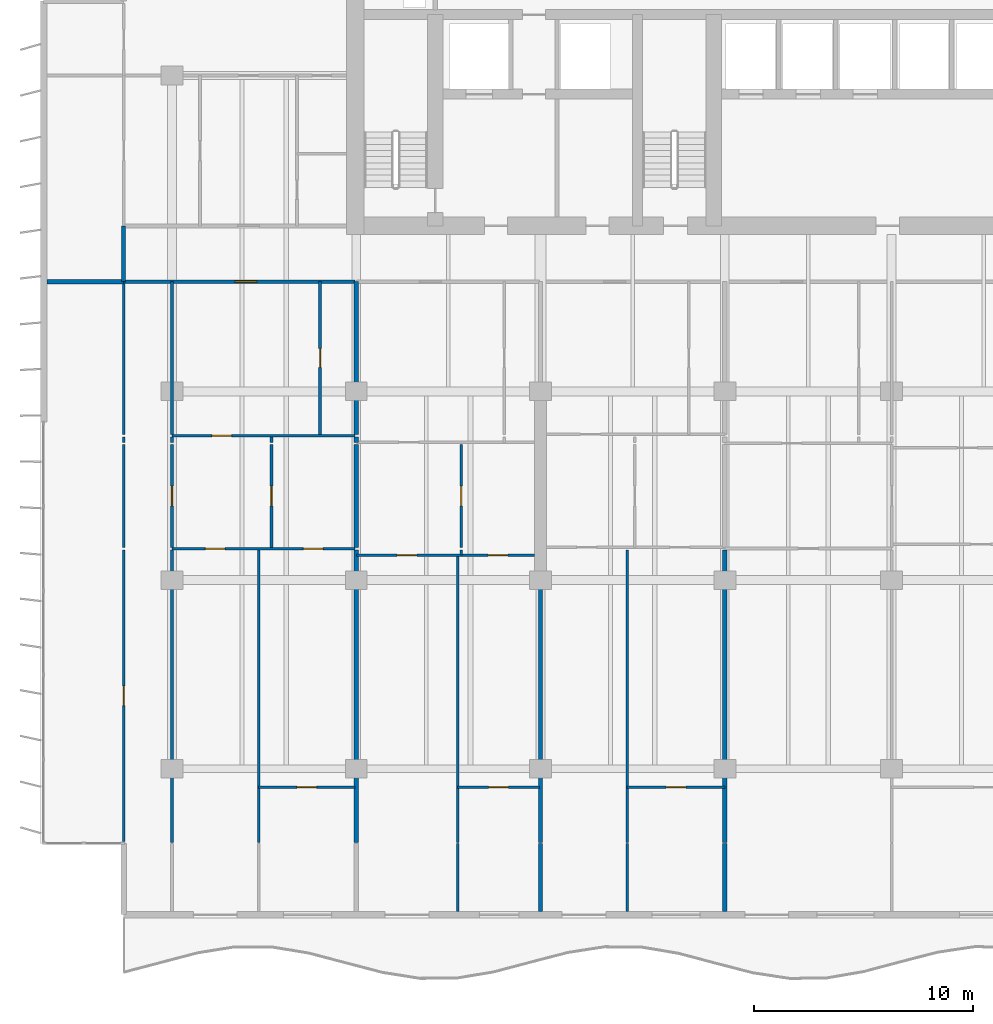
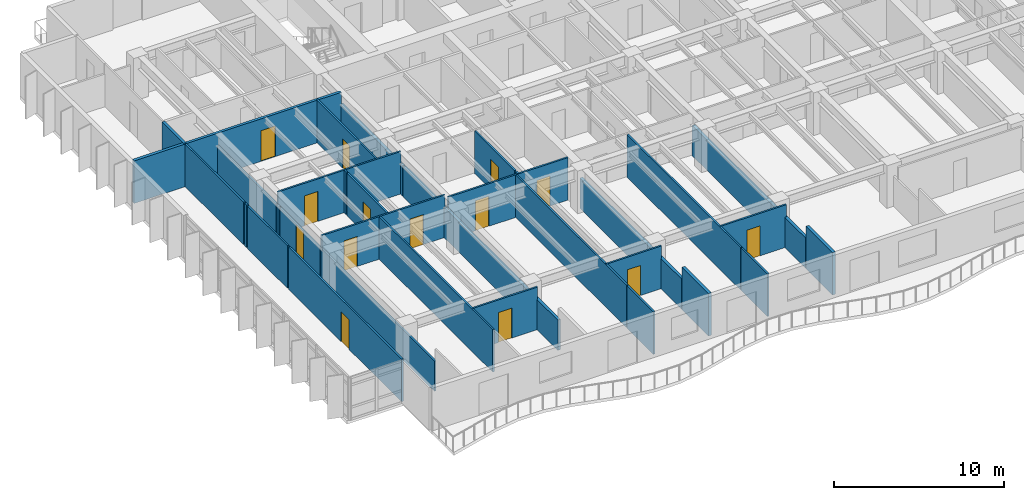
# One storey, part 6 of 17: 35 walls, 14 doors, 14 openings.
"""IFC4 building model written with IfcOpenShell, lengths in metres."""

from ifc_helpers import new_model, si_unit, direction, frame, frame_2d, origin, place, context, subcontext, project, spatial, rectangle, extrude, material, layer, layer_set, type_object, element, fill, save


model = new_model("IFC4")

# Units and contexts
model_context = context("Model", 3, precision=1e-05, world=origin(), true_north=direction((0.0, 1.0)))
body_context = subcontext(model_context, "Body", "Model", "MODEL_VIEW")
ifc_project = project(units=[si_unit("LENGTHUNIT", "METRE"), si_unit("AREAUNIT", "SQUARE_METRE"), si_unit("VOLUMEUNIT", "CUBIC_METRE"), si_unit("PLANEANGLEUNIT", "RADIAN"), si_unit("MASSUNIT", "GRAM", prefix="KILO")], contexts=[model_context])

# Site, building, storey
site_placement = place(None, origin())
site = spatial("IfcSite", under=ifc_project, at=site_placement, CompositionType="ELEMENT")
building_placement = place(site_placement, origin())
building = spatial("IfcBuilding", under=site, at=building_placement, Name="Caelmar Bay Residences", CompositionType="ELEMENT")
storey_placement = place(building_placement, frame((0.0, 0.0, 87.89990234375)))
storey = spatial("IfcBuildingStorey", under=building, at=storey_placement, Name="L23", CompositionType="ELEMENT", Elevation=87.89990234375)

# Wall
ifc_material_1 = material(Name="Double-stud acoustic fire-rated gypsum partition 180 mm")
ifc_layer_1 = layer(ifc_material_1, 0.179931640625)
ifc_layer_set_1 = layer_set([ifc_layer_1], Name="Double-stud acoustic fire-rated gypsum partition 180 mm")
wall_type_1 = type_object("IfcWallType", Name="W-COR-200", PredefinedType="PARTITIONING", material=ifc_layer_set_1)
wall_1_placement = place(storey_placement, frame((7.699951171875, 34.405029296875, 0.0), z_axis=(0.0, 0.0, 1.0), x_axis=(0.0, 1.0, 0.0)))
element("IfcWall", 1, at=wall_1_placement, inside=storey, type_object=wall_type_1, Name="L23 Partition Wall V005", PredefinedType="PARTITIONING", context=body_context, shape_type="SweptSolid", body=[
    extrude(rectangle(XDim=2.544921875, YDim=0.179931640625, at=frame_2d((1.2724609375, 0.0))), origin(), (0.0, 0.0, 1.0), 3.050048828125),
])

# Wall, opening, door
wall_2_placement = place(storey_placement, frame((7.705078125, 34.39990234375, 0.0), z_axis=(0.0, 0.0, 1.0), x_axis=(1.0, 0.0, 0.0)))
wall_2 = element("IfcWall", 2, at=wall_2_placement, inside=storey, type_object=wall_type_1, Name="L23 Partition Wall H130", PredefinedType="PARTITIONING", context=body_context, shape_type="SweptSolid", body=[
    extrude(rectangle(XDim=10.544921875, YDim=0.179931640625, at=frame_2d((5.2724609375, 0.0))), origin(), (0.0, 0.0, 1.0), 3.050048828125),
])
opening_1_placement = place(wall_2_placement, frame((5.070068359375, 0.0, 0.0)))
opening_1 = element("IfcOpeningElement", 3, at=opening_1_placement, cuts=wall_2, Name="Opening D-L23-123", PredefinedType="OPENING", context=body_context, shape_type="SweptSolid", body=[
    extrude(rectangle(XDim=1.0, YDim=2.199951171875, at=frame_2d((0.5, 1.10009765625))), frame((0.0, 0.099853515625, 0.0), z_axis=(0.0, -1.0, 0.0), x_axis=(1.0, 0.0, 0.0)), (0.0, 0.0, 1.0), 0.199951171875),
])
ifc_material_2 = material(Name="Fire-rated steel and walnut architectural door assembly", Category="steel")
ifc_layer_2 = layer(ifc_material_2, 0.050048828125)
ifc_layer_set_2 = layer_set([ifc_layer_2], Name="Fire-rated steel and walnut architectural door assembly")
door_type_1 = type_object("IfcDoorType", Name="D-UNIT-1000", OperationType="NOTDEFINED", PredefinedType="DOOR", material=ifc_layer_set_2)
door_1_placement = place(opening_1_placement, origin())
door_1 = element("IfcDoor", 4, at=door_1_placement, inside=storey, type_object=door_type_1, Name="L23 Residence 01 Apartment Hall Door", OperationType="SINGLE_SWING_LEFT", OverallHeight=2.199951171875, OverallWidth=1.0, PredefinedType="DOOR", context=body_context, shape_type="SweptSolid", body=[
    extrude(rectangle(XDim=1.0, YDim=2.199951171875, at=frame_2d((0.5, 1.10009765625))), frame((0.0, 0.02490234375, 0.0), z_axis=(0.0, -1.0, 0.0), x_axis=(1.0, 0.0, 0.0)), (0.0, 0.0, 1.0), 0.050048828125),
])
fill(opening_1, door_1)

ifc_material_3 = material(Name="Acoustic metal-stud gypsum partition 120 mm")
ifc_layer_3 = layer(ifc_material_3, 0.1201171875)
ifc_layer_set_3 = layer_set([ifc_layer_3], Name="Acoustic metal-stud gypsum partition 120 mm")
wall_type_2 = type_object("IfcWallType", Name="W-PRT-120", PredefinedType="PARTITIONING", material=ifc_layer_set_3)
wall_3_placement = place(storey_placement, frame((7.699951171875, 8.885009765625, 0.0), z_axis=(0.0, 0.0, 1.0), x_axis=(0.0, 1.0, 0.0)))
wall_3 = element("IfcWall", 5, at=wall_3_placement, inside=storey, type_object=wall_type_2, Name="L23 Partition Wall V001", PredefinedType="PARTITIONING", context=body_context, shape_type="SweptSolid", body=[
    extrude(rectangle(XDim=13.284912109375, YDim=0.1201171875, at=frame_2d((6.642578125, 0.0))), origin(), (0.0, 0.0, 1.0), 3.050048828125),
])
opening_2_placement = place(wall_3_placement, frame((6.1923828125, 0.0, 0.0)))
opening_2 = element("IfcOpeningElement", 6, at=opening_2_placement, cuts=wall_3, Name="Opening D-L23-169", PredefinedType="OPENING", context=body_context, shape_type="SweptSolid", body=[
    extrude(rectangle(XDim=0.89990234375, YDim=2.14990234375, at=frame_2d((0.449951171875, 1.074951171875))), frame((0.0, 0.070068359375, 0.0), z_axis=(0.0, -1.0, 0.0), x_axis=(1.0, 0.0, 0.0)), (0.0, 0.0, 1.0), 0.14013671875),
])
ifc_material_4 = material(Name="Solid walnut timber interior door leaf and frame", Category="wood")
ifc_layer_4 = layer(ifc_material_4, 0.050048828125)
ifc_layer_set_4 = layer_set([ifc_layer_4], Name="Solid walnut timber interior door leaf and frame")
door_type_2 = type_object("IfcDoorType", Name="D-ROOM-900", OperationType="NOTDEFINED", PredefinedType="DOOR", material=ifc_layer_set_4)
door_2_placement = place(opening_2_placement, origin())
door_2 = element("IfcDoor", 7, at=door_2_placement, inside=storey, type_object=door_type_2, Name="L23 Residence 01 Penthouse West Salon Door", OperationType="SINGLE_SWING_LEFT", OverallHeight=2.14990234375, OverallWidth=0.89990234375, PredefinedType="DOOR", context=body_context, shape_type="SweptSolid", body=[
    extrude(rectangle(XDim=0.89990234375, YDim=2.14990234375, at=frame_2d((0.449951171875, 1.074951171875))), frame((0.0, 0.02490234375, 0.0), z_axis=(0.0, -1.0, 0.0), x_axis=(1.0, 0.0, 0.0)), (0.0, 0.0, 1.0), 0.050048828125),
])
fill(opening_2, door_2)

# Walls
wall_4_placement = place(storey_placement, frame((7.699951171875, 22.2900390625, 0.0), z_axis=(0.0, 0.0, 1.0), x_axis=(0.0, 1.0, 0.0)))
element("IfcWall", 8, at=wall_4_placement, inside=storey, type_object=wall_type_2, Name="L23 Partition Wall V002", PredefinedType="PARTITIONING", context=body_context, shape_type="SweptSolid", body=[
    extrude(rectangle(XDim=4.68994140625, YDim=0.1201171875, at=frame_2d((2.344970703125, 0.0))), origin(), (0.0, 0.0, 1.0), 3.050048828125),
])
wall_5_placement = place(storey_placement, frame((7.699951171875, 27.080078125, 0.0), z_axis=(0.0, 0.0, 1.0), x_axis=(0.0, 1.0, 0.0)))
element("IfcWall", 9, at=wall_5_placement, inside=storey, type_object=wall_type_2, Name="L23 Partition Wall V003", PredefinedType="PARTITIONING", context=body_context, shape_type="SweptSolid", body=[
    extrude(rectangle(XDim=0.239990234375, YDim=0.1201171875, at=frame_2d((0.1201171875, 0.0))), origin(), (0.0, 0.0, 1.0), 3.050048828125),
])
wall_6_placement = place(storey_placement, frame((7.699951171875, 27.43994140625, 0.0), z_axis=(0.0, 0.0, 1.0), x_axis=(0.0, 1.0, 0.0)))
element("IfcWall", 10, at=wall_6_placement, inside=storey, type_object=wall_type_2, Name="L23 Partition Wall V004", PredefinedType="PARTITIONING", context=body_context, shape_type="SweptSolid", body=[
    extrude(rectangle(XDim=6.9599609375, YDim=0.1201171875, at=frame_2d((3.47998046875, 0.0))), origin(), (0.0, 0.0, 1.0), 3.050048828125),
])
wall_7_placement = place(storey_placement, frame((9.89990234375, 8.840087890625, 0.0), z_axis=(0.0, 0.0, 1.0), x_axis=(0.0, 1.0, 0.0)))
element("IfcWall", 11, at=wall_7_placement, inside=storey, type_object=wall_type_2, Name="L23 Partition Wall V009", PredefinedType="PARTITIONING", context=body_context, shape_type="SweptSolid", body=[
    extrude(rectangle(XDim=13.329833984375, YDim=0.1201171875, at=frame_2d((6.6650390625, 0.0))), origin(), (0.0, 0.0, 1.0), 2.174072265625),
])

# Wall, opening, door
wall_8_placement = place(storey_placement, frame((9.89990234375, 22.2900390625, 0.0), z_axis=(0.0, 0.0, 1.0), x_axis=(0.0, 1.0, 0.0)))
wall_8 = element("IfcWall", 12, at=wall_8_placement, inside=storey, type_object=wall_type_2, Name="L23 Partition Wall V010", PredefinedType="PARTITIONING", context=body_context, shape_type="SweptSolid", body=[
    extrude(rectangle(XDim=4.68994140625, YDim=0.1201171875, at=frame_2d((2.344970703125, 0.0))), origin(), (0.0, 0.0, 1.0), 2.174072265625),
])
opening_3_placement = place(wall_8_placement, frame((1.89501953125, 0.0, 0.0)))
opening_3 = element("IfcOpeningElement", 13, at=opening_3_placement, cuts=wall_8, Name="Opening D-L23-130", PredefinedType="OPENING", context=body_context, shape_type="SweptSolid", body=[
    extrude(rectangle(XDim=0.89990234375, YDim=2.1240234375, at=frame_2d((0.449951171875, 1.06201171875))), frame((0.0, 0.070068359375, 0.0), z_axis=(0.0, -1.0, 0.0), x_axis=(1.0, 0.0, 0.0)), (0.0, 0.0, 1.0), 0.14013671875),
])
door_3_placement = place(opening_3_placement, origin())
door_3 = element("IfcDoor", 14, at=door_3_placement, inside=storey, type_object=door_type_2, Name="L23 Residence 01 West Apartment Hall Door", OperationType="SINGLE_SWING_RIGHT", OverallHeight=2.1240234375, OverallWidth=0.89990234375, PredefinedType="DOOR", context=body_context, shape_type="SweptSolid", body=[
    extrude(rectangle(XDim=0.89990234375, YDim=2.1240234375, at=frame_2d((0.449951171875, 1.06201171875))), frame((0.0, 0.02490234375, 0.0), z_axis=(0.0, -1.0, 0.0), x_axis=(1.0, 0.0, 0.0)), (0.0, 0.0, 1.0), 0.050048828125),
])
fill(opening_3, door_3)

# Walls
wall_9_placement = place(storey_placement, frame((9.89990234375, 27.080078125, 0.0), z_axis=(0.0, 0.0, 1.0), x_axis=(0.0, 1.0, 0.0)))
element("IfcWall", 15, at=wall_9_placement, inside=storey, type_object=wall_type_2, Name="L23 Partition Wall V011", PredefinedType="PARTITIONING", context=body_context, shape_type="SweptSolid", body=[
    extrude(rectangle(XDim=0.239990234375, YDim=0.1201171875, at=frame_2d((0.1201171875, 0.0))), origin(), (0.0, 0.0, 1.0), 2.174072265625),
])
wall_10_placement = place(storey_placement, frame((9.89990234375, 27.43994140625, 0.0), z_axis=(0.0, 0.0, 1.0), x_axis=(0.0, 1.0, 0.0)))
element("IfcWall", 16, at=wall_10_placement, inside=storey, type_object=wall_type_2, Name="L23 Partition Wall V012", PredefinedType="PARTITIONING", context=body_context, shape_type="SweptSolid", body=[
    extrude(rectangle(XDim=6.9599609375, YDim=0.1201171875, at=frame_2d((3.47998046875, 0.0))), origin(), (0.0, 0.0, 1.0), 2.174072265625),
])
wall_11_placement = place(storey_placement, frame((13.847900390625, 8.840087890625, 0.0), z_axis=(0.0, 0.0, 1.0), x_axis=(0.0, 1.0, 0.0)))
element("IfcWall", 17, at=wall_11_placement, inside=storey, type_object=wall_type_2, Name="L23 Partition Wall V015", PredefinedType="PARTITIONING", context=body_context, shape_type="SweptSolid", body=[
    extrude(rectangle(XDim=13.329833984375, YDim=0.1201171875, at=frame_2d((6.6650390625, 0.0))), origin(), (0.0, 0.0, 1.0), 3.050048828125),
])

# Wall, opening, door
wall_12_placement = place(storey_placement, frame((14.43603515625, 22.2900390625, 0.0), z_axis=(0.0, 0.0, 1.0), x_axis=(0.0, 1.0, 0.0)))
wall_12 = element("IfcWall", 18, at=wall_12_placement, inside=storey, type_object=wall_type_2, Name="L23 Partition Wall V016", PredefinedType="PARTITIONING", context=body_context, shape_type="SweptSolid", body=[
    extrude(rectangle(XDim=4.68994140625, YDim=0.1201171875, at=frame_2d((2.344970703125, 0.0))), origin(), (0.0, 0.0, 1.0), 3.050048828125),
])
opening_4_placement = place(wall_12_placement, frame((1.89501953125, 0.0, 0.0)))
opening_4 = element("IfcOpeningElement", 19, at=opening_4_placement, cuts=wall_12, Name="Opening D-L23-126", PredefinedType="OPENING", context=body_context, shape_type="SweptSolid", body=[
    extrude(rectangle(XDim=0.89990234375, YDim=2.14990234375, at=frame_2d((0.449951171875, 1.074951171875))), frame((0.0, 0.070068359375, 0.0), z_axis=(0.0, -1.0, 0.0), x_axis=(1.0, 0.0, 0.0)), (0.0, 0.0, 1.0), 0.14013671875),
])
door_4_placement = place(opening_4_placement, origin())
door_4 = element("IfcDoor", 20, at=door_4_placement, inside=storey, type_object=door_type_2, Name="L23 Residence 01 Study Door", OperationType="SINGLE_SWING_RIGHT", OverallHeight=2.14990234375, OverallWidth=0.89990234375, PredefinedType="DOOR", context=body_context, shape_type="SweptSolid", body=[
    extrude(rectangle(XDim=0.89990234375, YDim=2.14990234375, at=frame_2d((0.449951171875, 1.074951171875))), frame((0.0, 0.02490234375, 0.0), z_axis=(0.0, -1.0, 0.0), x_axis=(1.0, 0.0, 0.0)), (0.0, 0.0, 1.0), 0.050048828125),
])
fill(opening_4, door_4)

# Wall
wall_13_placement = place(storey_placement, frame((14.43603515625, 27.080078125, 0.0), z_axis=(0.0, 0.0, 1.0), x_axis=(0.0, 1.0, 0.0)))
element("IfcWall", 21, at=wall_13_placement, inside=storey, type_object=wall_type_2, Name="L23 Partition Wall V017", PredefinedType="PARTITIONING", context=body_context, shape_type="SweptSolid", body=[
    extrude(rectangle(XDim=0.239990234375, YDim=0.1201171875, at=frame_2d((0.1201171875, 0.0))), origin(), (0.0, 0.0, 1.0), 3.050048828125),
])

# Wall, opening, door
wall_14_placement = place(storey_placement, frame((16.64990234375, 27.43994140625, 0.0), z_axis=(0.0, 0.0, 1.0), x_axis=(0.0, 1.0, 0.0)))
wall_14 = element("IfcWall", 22, at=wall_14_placement, inside=storey, type_object=wall_type_2, Name="L23 Partition Wall V019", PredefinedType="PARTITIONING", context=body_context, shape_type="SweptSolid", body=[
    extrude(rectangle(XDim=6.9599609375, YDim=0.1201171875, at=frame_2d((3.47998046875, 0.0))), origin(), (0.0, 0.0, 1.0), 3.050048828125),
])
opening_5_placement = place(wall_14_placement, frame((3.054931640625, 0.0, 0.0)))
opening_5 = element("IfcOpeningElement", 23, at=opening_5_placement, cuts=wall_14, Name="Opening D-L23-124", PredefinedType="OPENING", context=body_context, shape_type="SweptSolid", body=[
    extrude(rectangle(XDim=0.85009765625, YDim=2.10009765625, at=frame_2d((0.425048828125, 1.050048828125))), frame((0.0, 0.070068359375, 0.0), z_axis=(0.0, -1.0, 0.0), x_axis=(1.0, 0.0, 0.0)), (0.0, 0.0, 1.0), 0.14013671875),
])
ifc_layer_5 = layer(ifc_material_4, 0.050048828125)
ifc_layer_set_5 = layer_set([ifc_layer_5], Name="Solid walnut timber interior door leaf and frame")
door_type_3 = type_object("IfcDoorType", Name="D-BATH-850", OperationType="NOTDEFINED", PredefinedType="DOOR", material=ifc_layer_set_5)
door_5_placement = place(opening_5_placement, origin())
door_5 = element("IfcDoor", 24, at=door_5_placement, inside=storey, type_object=door_type_3, Name="L23 Residence 01 Bathroom Door", OperationType="SINGLE_SWING_RIGHT", OverallHeight=2.10009765625, OverallWidth=0.85009765625, PredefinedType="DOOR", context=body_context, shape_type="SweptSolid", body=[
    extrude(rectangle(XDim=0.85009765625, YDim=2.10009765625, at=frame_2d((0.425048828125, 1.050048828125))), frame((0.0, 0.02490234375, 0.0), z_axis=(0.0, -1.0, 0.0), x_axis=(1.0, 0.0, 0.0)), (0.0, 0.0, 1.0), 0.050048828125),
])
fill(opening_5, door_5)

# Walls
wall_15_placement = place(storey_placement, frame((22.919921875, 5.695068359375, 0.0), z_axis=(0.0, 0.0, 1.0), x_axis=(0.0, 1.0, 0.0)))
element("IfcWall", 25, at=wall_15_placement, inside=storey, type_object=wall_type_2, Name="L23 Partition Wall V026", PredefinedType="PARTITIONING", context=body_context, shape_type="SweptSolid", body=[
    extrude(rectangle(XDim=3.10498046875, YDim=0.1201171875, at=frame_2d((1.552490234375, 0.0))), origin(), (0.0, 0.0, 1.0), 3.050048828125),
])
wall_16_placement = place(storey_placement, frame((22.919921875, 8.840087890625, 0.0), z_axis=(0.0, 0.0, 1.0), x_axis=(0.0, 1.0, 0.0)))
element("IfcWall", 26, at=wall_16_placement, inside=storey, type_object=wall_type_2, Name="L23 Partition Wall V027", PredefinedType="PARTITIONING", context=body_context, shape_type="SweptSolid", body=[
    extrude(rectangle(XDim=13.08984375, YDim=0.1201171875, at=frame_2d((6.544921875, 0.0))), origin(), (0.0, 0.0, 1.0), 3.050048828125),
])
wall_17_placement = place(storey_placement, frame((23.0859375, 21.93505859375, 0.0), z_axis=(0.0, 0.0, 1.0), x_axis=(0.0, 1.0, 0.0)))
element("IfcWall", 27, at=wall_17_placement, inside=storey, type_object=wall_type_2, Name="L23 Partition Wall V028", PredefinedType="PARTITIONING", context=body_context, shape_type="SweptSolid", body=[
    extrude(rectangle(XDim=0.23486328125, YDim=0.1201171875, at=frame_2d((0.117431640625, 0.0))), origin(), (0.0, 0.0, 1.0), 3.050048828125),
])

# Wall, opening, door
wall_18_placement = place(storey_placement, frame((23.0859375, 22.2900390625, 0.0), z_axis=(0.0, 0.0, 1.0), x_axis=(0.0, 1.0, 0.0)))
wall_18 = element("IfcWall", 28, at=wall_18_placement, inside=storey, type_object=wall_type_2, Name="L23 Partition Wall V029", PredefinedType="PARTITIONING", context=body_context, shape_type="SweptSolid", body=[
    extrude(rectangle(XDim=4.68994140625, YDim=0.1201171875, at=frame_2d((2.344970703125, 0.0))), origin(), (0.0, 0.0, 1.0), 3.050048828125),
])
opening_6_placement = place(wall_18_placement, frame((1.89501953125, 0.0, 0.0)))
opening_6 = element("IfcOpeningElement", 29, at=opening_6_placement, cuts=wall_18, Name="Opening D-L23-134", PredefinedType="OPENING", context=body_context, shape_type="SweptSolid", body=[
    extrude(rectangle(XDim=0.89990234375, YDim=2.14990234375, at=frame_2d((0.449951171875, 1.074951171875))), frame((0.0, 0.070068359375, 0.0), z_axis=(0.0, -1.0, 0.0), x_axis=(1.0, 0.0, 0.0)), (0.0, 0.0, 1.0), 0.14013671875),
])
door_6_placement = place(opening_6_placement, origin())
door_6 = element("IfcDoor", 30, at=door_6_placement, inside=storey, type_object=door_type_2, Name="L23 Residence 02 Study Door", OperationType="SINGLE_SWING_RIGHT", OverallHeight=2.14990234375, OverallWidth=0.89990234375, PredefinedType="DOOR", context=body_context, shape_type="SweptSolid", body=[
    extrude(rectangle(XDim=0.89990234375, YDim=2.14990234375, at=frame_2d((0.449951171875, 1.074951171875))), frame((0.0, 0.02490234375, 0.0), z_axis=(0.0, -1.0, 0.0), x_axis=(1.0, 0.0, 0.0)), (0.0, 0.0, 1.0), 0.050048828125),
])
fill(opening_6, door_6)

# Walls
wall_19_placement = place(storey_placement, frame((30.64794921875, 5.695068359375, 0.0), z_axis=(0.0, 0.0, 1.0), x_axis=(0.0, 1.0, 0.0)))
element("IfcWall", 31, at=wall_19_placement, inside=storey, type_object=wall_type_2, Name="L23 Partition Wall V039", PredefinedType="PARTITIONING", context=body_context, shape_type="SweptSolid", body=[
    extrude(rectangle(XDim=3.10498046875, YDim=0.1201171875, at=frame_2d((1.552490234375, 0.0))), origin(), (0.0, 0.0, 1.0), 3.050048828125),
])
wall_20_placement = place(storey_placement, frame((30.64794921875, 8.840087890625, 0.0), z_axis=(0.0, 0.0, 1.0), x_axis=(0.0, 1.0, 0.0)))
element("IfcWall", 32, at=wall_20_placement, inside=storey, type_object=wall_type_2, Name="L23 Partition Wall V040", PredefinedType="PARTITIONING", context=body_context, shape_type="SweptSolid", body=[
    extrude(rectangle(XDim=13.329833984375, YDim=0.1201171875, at=frame_2d((6.6650390625, 0.0))), origin(), (0.0, 0.0, 1.0), 3.050048828125),
])

# Wall, opening, door
wall_21_placement = place(storey_placement, frame((13.847900390625, 11.35009765625, 0.0), z_axis=(0.0, 0.0, 1.0), x_axis=(1.0, 0.0, 0.0)))
wall_21 = element("IfcWall", 33, at=wall_21_placement, inside=storey, type_object=wall_type_2, Name="L23 Partition Wall H106", PredefinedType="PARTITIONING", context=body_context, shape_type="SweptSolid", body=[
    extrude(rectangle(XDim=4.402099609375, YDim=0.1201171875, at=frame_2d((2.201171875, 0.0))), origin(), (0.0, 0.0, 1.0), 3.050048828125),
])
opening_7_placement = place(wall_21_placement, frame((1.7509765625, 0.0, 0.0)))
opening_7 = element("IfcOpeningElement", 34, at=opening_7_placement, cuts=wall_21, Name="Opening D-L23-129", PredefinedType="OPENING", context=body_context, shape_type="SweptSolid", body=[
    extrude(rectangle(XDim=0.89990234375, YDim=2.14990234375, at=frame_2d((0.449951171875, 1.074951171875))), frame((0.0, 0.070068359375, 0.0), z_axis=(0.0, -1.0, 0.0), x_axis=(1.0, 0.0, 0.0)), (0.0, 0.0, 1.0), 0.14013671875),
])
door_7_placement = place(opening_7_placement, origin())
door_7 = element("IfcDoor", 35, at=door_7_placement, inside=storey, type_object=door_type_2, Name="L23 Residence 01 Primary Bedroom Door", OperationType="SINGLE_SWING_LEFT", OverallHeight=2.14990234375, OverallWidth=0.89990234375, PredefinedType="DOOR", context=body_context, shape_type="SweptSolid", body=[
    extrude(rectangle(XDim=0.89990234375, YDim=2.14990234375, at=frame_2d((0.449951171875, 1.074951171875))), frame((0.0, 0.02490234375, 0.0), z_axis=(0.0, -1.0, 0.0), x_axis=(1.0, 0.0, 0.0)), (0.0, 0.0, 1.0), 0.050048828125),
])
fill(opening_7, door_7)

wall_22_placement = place(storey_placement, frame((22.919921875, 11.35009765625, 0.0), z_axis=(0.0, 0.0, 1.0), x_axis=(1.0, 0.0, 0.0)))
wall_22 = element("IfcWall", 36, at=wall_22_placement, inside=storey, type_object=wall_type_2, Name="L23 Partition Wall H107", PredefinedType="PARTITIONING", context=body_context, shape_type="SweptSolid", body=[
    extrude(rectangle(XDim=3.72998046875, YDim=0.1201171875, at=frame_2d((1.864990234375, 0.0))), origin(), (0.0, 0.0, 1.0), 3.050048828125),
])
opening_8_placement = place(wall_22_placement, frame((1.4150390625, 0.0, 0.0)))
opening_8 = element("IfcOpeningElement", 37, at=opening_8_placement, cuts=wall_22, Name="Opening D-L23-137", PredefinedType="OPENING", context=body_context, shape_type="SweptSolid", body=[
    extrude(rectangle(XDim=0.89990234375, YDim=2.14990234375, at=frame_2d((0.449951171875, 1.074951171875))), frame((0.0, 0.070068359375, 0.0), z_axis=(0.0, -1.0, 0.0), x_axis=(1.0, 0.0, 0.0)), (0.0, 0.0, 1.0), 0.14013671875),
])
door_8_placement = place(opening_8_placement, origin())
door_8 = element("IfcDoor", 38, at=door_8_placement, inside=storey, type_object=door_type_2, Name="L23 Residence 02 Primary Bedroom Door", OperationType="SINGLE_SWING_LEFT", OverallHeight=2.14990234375, OverallWidth=0.89990234375, PredefinedType="DOOR", context=body_context, shape_type="SweptSolid", body=[
    extrude(rectangle(XDim=0.89990234375, YDim=2.14990234375, at=frame_2d((0.449951171875, 1.074951171875))), frame((0.0, 0.02490234375, 0.0), z_axis=(0.0, -1.0, 0.0), x_axis=(1.0, 0.0, 0.0)), (0.0, 0.0, 1.0), 0.050048828125),
])
fill(opening_8, door_8)

wall_23_placement = place(storey_placement, frame((30.64794921875, 11.35009765625, 0.0), z_axis=(0.0, 0.0, 1.0), x_axis=(1.0, 0.0, 0.0)))
wall_23 = element("IfcWall", 39, at=wall_23_placement, inside=storey, type_object=wall_type_2, Name="L23 Partition Wall H108", PredefinedType="PARTITIONING", context=body_context, shape_type="SweptSolid", body=[
    extrude(rectangle(XDim=4.4521484375, YDim=0.1201171875, at=frame_2d((2.22607421875, 0.0))), origin(), (0.0, 0.0, 1.0), 3.050048828125),
])
opening_9_placement = place(wall_23_placement, frame((1.77587890625, 0.0, 0.0)))
opening_9 = element("IfcOpeningElement", 40, at=opening_9_placement, cuts=wall_23, Name="Opening D-L23-144", PredefinedType="OPENING", context=body_context, shape_type="SweptSolid", body=[
    extrude(rectangle(XDim=0.89990234375, YDim=2.14990234375, at=frame_2d((0.449951171875, 1.074951171875))), frame((0.0, 0.070068359375, 0.0), z_axis=(0.0, -1.0, 0.0), x_axis=(1.0, 0.0, 0.0)), (0.0, 0.0, 1.0), 0.14013671875),
])
door_9_placement = place(opening_9_placement, origin())
door_9 = element("IfcDoor", 41, at=door_9_placement, inside=storey, type_object=door_type_2, Name="L23 Residence 03 Primary Bedroom Door", OperationType="SINGLE_SWING_RIGHT", OverallHeight=2.14990234375, OverallWidth=0.89990234375, PredefinedType="DOOR", context=body_context, shape_type="SweptSolid", body=[
    extrude(rectangle(XDim=0.89990234375, YDim=2.14990234375, at=frame_2d((0.449951171875, 1.074951171875))), frame((0.0, 0.02490234375, 0.0), z_axis=(0.0, -1.0, 0.0), x_axis=(1.0, 0.0, 0.0)), (0.0, 0.0, 1.0), 0.050048828125),
])
fill(opening_9, door_9)

# Wall, openings, doors
wall_24_placement = place(storey_placement, frame((18.300048828125, 21.929931640625, 0.0), z_axis=(0.0, 0.0, 1.0), x_axis=(1.0, 0.0, 0.0)))
wall_24 = element("IfcWall", 42, at=wall_24_placement, inside=storey, type_object=wall_type_2, Name="L23 Partition Wall H114", PredefinedType="PARTITIONING", context=body_context, shape_type="SweptSolid", body=[
    extrude(rectangle(XDim=8.1298828125, YDim=0.1201171875, at=frame_2d((4.06494140625, 0.0))), origin(), (0.0, 0.0, 1.0), 3.050048828125),
])
opening_10_placement = place(wall_24_placement, frame((1.860107421875, 0.0, 0.0)))
opening_10 = element("IfcOpeningElement", 43, at=opening_10_placement, cuts=wall_24, Name="Opening D-L23-135", PredefinedType="OPENING", context=body_context, shape_type="SweptSolid", body=[
    extrude(rectangle(XDim=0.89990234375, YDim=2.14990234375, at=frame_2d((0.449951171875, 1.074951171875))), frame((0.0, 0.070068359375, 0.0), z_axis=(0.0, -1.0, 0.0), x_axis=(1.0, 0.0, 0.0)), (0.0, 0.0, 1.0), 0.14013671875),
])
opening_11_placement = place(wall_24_placement, frame((6.008056640625, 0.0, 0.0)))
opening_11 = element("IfcOpeningElement", 44, at=opening_11_placement, cuts=wall_24, Name="Opening D-L23-136", PredefinedType="OPENING", context=body_context, shape_type="SweptSolid", body=[
    extrude(rectangle(XDim=0.89990234375, YDim=2.14990234375, at=frame_2d((0.449951171875, 1.074951171875))), frame((0.0, 0.070068359375, 0.0), z_axis=(0.0, -1.0, 0.0), x_axis=(1.0, 0.0, 0.0)), (0.0, 0.0, 1.0), 0.14013671875),
])
door_10_placement = place(opening_10_placement, origin())
door_10 = element("IfcDoor", 45, at=door_10_placement, inside=storey, type_object=door_type_2, Name="L23 Residence 02 Living Room Door", OperationType="SINGLE_SWING_LEFT", OverallHeight=2.14990234375, OverallWidth=0.89990234375, PredefinedType="DOOR", context=body_context, shape_type="SweptSolid", body=[
    extrude(rectangle(XDim=0.89990234375, YDim=2.14990234375, at=frame_2d((0.449951171875, 1.074951171875))), frame((0.0, 0.02490234375, 0.0), z_axis=(0.0, -1.0, 0.0), x_axis=(1.0, 0.0, 0.0)), (0.0, 0.0, 1.0), 0.050048828125),
])
fill(opening_10, door_10)
door_11_placement = place(opening_11_placement, origin())
door_11 = element("IfcDoor", 46, at=door_11_placement, inside=storey, type_object=door_type_2, Name="L23 Residence 02 Penthouse Sitting Room Door", OperationType="SINGLE_SWING_RIGHT", OverallHeight=2.14990234375, OverallWidth=0.89990234375, PredefinedType="DOOR", context=body_context, shape_type="SweptSolid", body=[
    extrude(rectangle(XDim=0.89990234375, YDim=2.14990234375, at=frame_2d((0.449951171875, 1.074951171875))), frame((0.0, 0.02490234375, 0.0), z_axis=(0.0, -1.0, 0.0), x_axis=(1.0, 0.0, 0.0)), (0.0, 0.0, 1.0), 0.050048828125),
])
fill(opening_11, door_11)

wall_25_placement = place(storey_placement, frame((9.89990234375, 22.22998046875, 0.0), z_axis=(0.0, 0.0, 1.0), x_axis=(1.0, 0.0, 0.0)))
wall_25 = element("IfcWall", 47, at=wall_25_placement, inside=storey, type_object=wall_type_2, Name="L23 Partition Wall H117", PredefinedType="PARTITIONING", context=body_context, shape_type="SweptSolid", body=[
    extrude(rectangle(XDim=8.35009765625, YDim=0.1201171875, at=frame_2d((4.175048828125, 0.0))), origin(), (0.0, 0.0, 1.0), 3.050048828125),
])
opening_12_placement = place(wall_25_placement, frame((1.52392578125, 0.0, 0.0)))
opening_12 = element("IfcOpeningElement", 48, at=opening_12_placement, cuts=wall_25, Name="Opening D-L23-127", PredefinedType="OPENING", context=body_context, shape_type="SweptSolid", body=[
    extrude(rectangle(XDim=0.89990234375, YDim=2.14990234375, at=frame_2d((0.449951171875, 1.074951171875))), frame((0.0, 0.070068359375, 0.0), z_axis=(0.0, -1.0, 0.0), x_axis=(1.0, 0.0, 0.0)), (0.0, 0.0, 1.0), 0.14013671875),
])
opening_13_placement = place(wall_25_placement, frame((5.992919921875, 0.0, 0.0)))
opening_13 = element("IfcOpeningElement", 49, at=opening_13_placement, cuts=wall_25, Name="Opening D-L23-128", PredefinedType="OPENING", context=body_context, shape_type="SweptSolid", body=[
    extrude(rectangle(XDim=0.89990234375, YDim=2.14990234375, at=frame_2d((0.449951171875, 1.074951171875))), frame((0.0, 0.070068359375, 0.0), z_axis=(0.0, -1.0, 0.0), x_axis=(1.0, 0.0, 0.0)), (0.0, 0.0, 1.0), 0.14013671875),
])
door_12_placement = place(opening_12_placement, origin())
door_12 = element("IfcDoor", 50, at=door_12_placement, inside=storey, type_object=door_type_2, Name="L23 Residence 01 Living Room Door", OperationType="SINGLE_SWING_LEFT", OverallHeight=2.14990234375, OverallWidth=0.89990234375, PredefinedType="DOOR", context=body_context, shape_type="SweptSolid", body=[
    extrude(rectangle(XDim=0.89990234375, YDim=2.14990234375, at=frame_2d((0.449951171875, 1.074951171875))), frame((0.0, 0.02490234375, 0.0), z_axis=(0.0, -1.0, 0.0), x_axis=(1.0, 0.0, 0.0)), (0.0, 0.0, 1.0), 0.050048828125),
])
fill(opening_12, door_12)
door_13_placement = place(opening_13_placement, origin())
door_13 = element("IfcDoor", 51, at=door_13_placement, inside=storey, type_object=door_type_2, Name="L23 Residence 01 Penthouse Sitting Room Door", OperationType="SINGLE_SWING_RIGHT", OverallHeight=2.14990234375, OverallWidth=0.89990234375, PredefinedType="DOOR", context=body_context, shape_type="SweptSolid", body=[
    extrude(rectangle(XDim=0.89990234375, YDim=2.14990234375, at=frame_2d((0.449951171875, 1.074951171875))), frame((0.0, 0.02490234375, 0.0), z_axis=(0.0, -1.0, 0.0), x_axis=(1.0, 0.0, 0.0)), (0.0, 0.0, 1.0), 0.050048828125),
])
fill(opening_13, door_13)

# Wall, opening, door
wall_26_placement = place(storey_placement, frame((9.89990234375, 27.3798828125, 0.0), z_axis=(0.0, 0.0, 1.0), x_axis=(1.0, 0.0, 0.0)))
wall_26 = element("IfcWall", 52, at=wall_26_placement, inside=storey, type_object=wall_type_2, Name="L23 Partition Wall H127", PredefinedType="PARTITIONING", context=body_context, shape_type="SweptSolid", body=[
    extrude(rectangle(XDim=8.35009765625, YDim=0.1201171875, at=frame_2d((4.175048828125, 0.0))), origin(), (0.0, 0.0, 1.0), 3.050048828125),
])
opening_14_placement = place(wall_26_placement, frame((1.818115234375, 0.0, 0.0)))
opening_14 = element("IfcOpeningElement", 53, at=opening_14_placement, cuts=wall_26, Name="Opening D-L23-125", PredefinedType="OPENING", context=body_context, shape_type="SweptSolid", body=[
    extrude(rectangle(XDim=0.89990234375, YDim=2.14990234375, at=frame_2d((0.449951171875, 1.074951171875))), frame((0.0, 0.070068359375, 0.0), z_axis=(0.0, -1.0, 0.0), x_axis=(1.0, 0.0, 0.0)), (0.0, 0.0, 1.0), 0.14013671875),
])
door_14_placement = place(opening_14_placement, origin())
door_14 = element("IfcDoor", 54, at=door_14_placement, inside=storey, type_object=door_type_2, Name="L23 Residence 01 Kitchen Door", OperationType="SINGLE_SWING_LEFT", OverallHeight=2.14990234375, OverallWidth=0.89990234375, PredefinedType="DOOR", context=body_context, shape_type="SweptSolid", body=[
    extrude(rectangle(XDim=0.89990234375, YDim=2.14990234375, at=frame_2d((0.449951171875, 1.074951171875))), frame((0.0, 0.02490234375, 0.0), z_axis=(0.0, -1.0, 0.0), x_axis=(1.0, 0.0, 0.0)), (0.0, 0.0, 1.0), 0.050048828125),
])
fill(opening_14, door_14)

# Walls
ifc_material_5 = material(Name="Acoustic twin-stud fire-rated inter-tenancy partition 200 mm")
ifc_layer_6 = layer(ifc_material_5, 0.199951171875)
ifc_layer_set_6 = layer_set([ifc_layer_6], Name="Acoustic twin-stud fire-rated inter-tenancy partition 200 mm")
wall_type_3 = type_object("IfcWallType", Name="W-PTY-200", PredefinedType="PARTITIONING", material=ifc_layer_set_6)
wall_27_placement = place(storey_placement, frame((18.300048828125, 8.840087890625, 0.0), z_axis=(0.0, 0.0, 1.0), x_axis=(0.0, 1.0, 0.0)))
element("IfcWall", 55, at=wall_27_placement, inside=storey, type_object=wall_type_3, Name="L23 Partition Wall V021", PredefinedType="PARTITIONING", context=body_context, shape_type="SweptSolid", body=[
    extrude(rectangle(XDim=13.329833984375, YDim=0.199951171875, at=frame_2d((6.6650390625, 0.0))), origin(), (0.0, 0.0, 1.0), 2.174072265625),
])
wall_28_placement = place(storey_placement, frame((18.300048828125, 22.2900390625, 0.0), z_axis=(0.0, 0.0, 1.0), x_axis=(0.0, 1.0, 0.0)))
element("IfcWall", 56, at=wall_28_placement, inside=storey, type_object=wall_type_3, Name="L23 Partition Wall V022", PredefinedType="PARTITIONING", context=body_context, shape_type="SweptSolid", body=[
    extrude(rectangle(XDim=4.68994140625, YDim=0.199951171875, at=frame_2d((2.344970703125, 0.0))), origin(), (0.0, 0.0, 1.0), 2.174072265625),
])
wall_29_placement = place(storey_placement, frame((18.300048828125, 27.080078125, 0.0), z_axis=(0.0, 0.0, 1.0), x_axis=(0.0, 1.0, 0.0)))
element("IfcWall", 57, at=wall_29_placement, inside=storey, type_object=wall_type_3, Name="L23 Partition Wall V023", PredefinedType="PARTITIONING", context=body_context, shape_type="SweptSolid", body=[
    extrude(rectangle(XDim=0.239990234375, YDim=0.199951171875, at=frame_2d((0.1201171875, 0.0))), origin(), (0.0, 0.0, 1.0), 2.174072265625),
])
wall_30_placement = place(storey_placement, frame((18.300048828125, 27.43994140625, 0.0), z_axis=(0.0, 0.0, 1.0), x_axis=(0.0, 1.0, 0.0)))
element("IfcWall", 58, at=wall_30_placement, inside=storey, type_object=wall_type_3, Name="L23 Partition Wall V024", PredefinedType="PARTITIONING", context=body_context, shape_type="SweptSolid", body=[
    extrude(rectangle(XDim=6.9599609375, YDim=0.199951171875, at=frame_2d((3.47998046875, 0.0))), origin(), (0.0, 0.0, 1.0), 2.174072265625),
])
wall_31_placement = place(storey_placement, frame((26.699951171875, 5.695068359375, 0.0), z_axis=(0.0, 0.0, 1.0), x_axis=(0.0, 1.0, 0.0)))
element("IfcWall", 59, at=wall_31_placement, inside=storey, type_object=wall_type_3, Name="L23 Partition Wall V034", PredefinedType="PARTITIONING", context=body_context, shape_type="SweptSolid", body=[
    extrude(rectangle(XDim=3.10498046875, YDim=0.199951171875, at=frame_2d((1.552490234375, 0.0))), origin(), (0.0, 0.0, 1.0), 3.050048828125),
])
wall_32_placement = place(storey_placement, frame((26.699951171875, 8.840087890625, 0.0), z_axis=(0.0, 0.0, 1.0), x_axis=(0.0, 1.0, 0.0)))
element("IfcWall", 60, at=wall_32_placement, inside=storey, type_object=wall_type_3, Name="L23 Partition Wall V035", PredefinedType="PARTITIONING", context=body_context, shape_type="SweptSolid", body=[
    extrude(rectangle(XDim=11.954833984375, YDim=0.199951171875, at=frame_2d((5.9775390625, 0.0))), origin(), (0.0, 0.0, 1.0), 2.174072265625),
])
wall_33_placement = place(storey_placement, frame((35.10009765625, 5.695068359375, 0.0), z_axis=(0.0, 0.0, 1.0), x_axis=(0.0, 1.0, 0.0)))
element("IfcWall", 61, at=wall_33_placement, inside=storey, type_object=wall_type_3, Name="L23 Partition Wall V045", PredefinedType="PARTITIONING", context=body_context, shape_type="SweptSolid", body=[
    extrude(rectangle(XDim=3.10498046875, YDim=0.199951171875, at=frame_2d((1.552490234375, 0.0))), origin(), (0.0, 0.0, 1.0), 3.050048828125),
])
wall_34_placement = place(storey_placement, frame((35.10009765625, 8.840087890625, 0.0), z_axis=(0.0, 0.0, 1.0), x_axis=(0.0, 1.0, 0.0)))
element("IfcWall", 62, at=wall_34_placement, inside=storey, type_object=wall_type_3, Name="L23 Partition Wall V046", PredefinedType="PARTITIONING", context=body_context, shape_type="SweptSolid", body=[
    extrude(rectangle(XDim=13.329833984375, YDim=0.199951171875, at=frame_2d((6.6650390625, 0.0))), origin(), (0.0, 0.0, 1.0), 2.174072265625),
])
wall_35_placement = place(storey_placement, frame((4.195068359375, 34.39990234375, 0.0), z_axis=(0.0, 0.0, 1.0), x_axis=(1.0, 0.0, 0.0)))
element("IfcWall", 63, at=wall_35_placement, inside=storey, type_object=wall_type_3, Name="L23 Partition Wall H129", PredefinedType="PARTITIONING", context=body_context, shape_type="SweptSolid", body=[
    extrude(rectangle(XDim=3.5048828125, YDim=0.199951171875, at=frame_2d((1.75244140625, 0.0))), origin(), (0.0, 0.0, 1.0), 3.050048828125),
])

save(model, "model.ifc")
